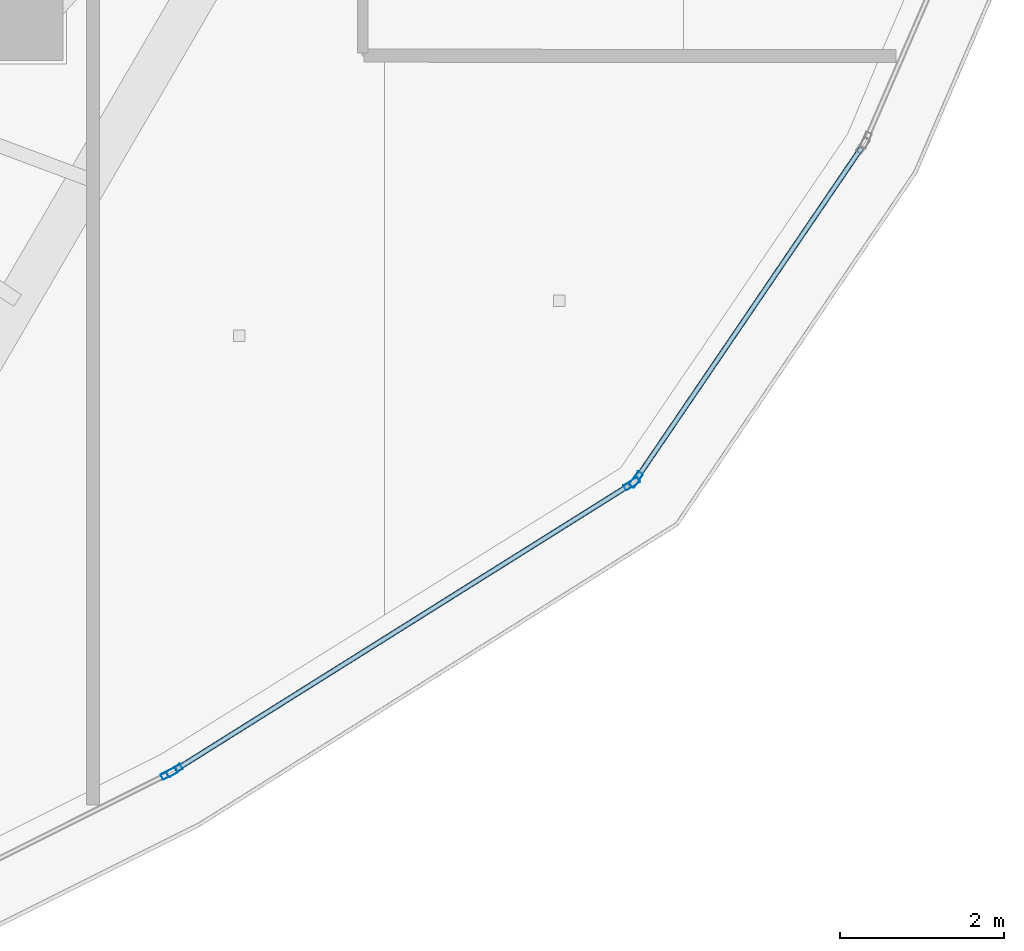
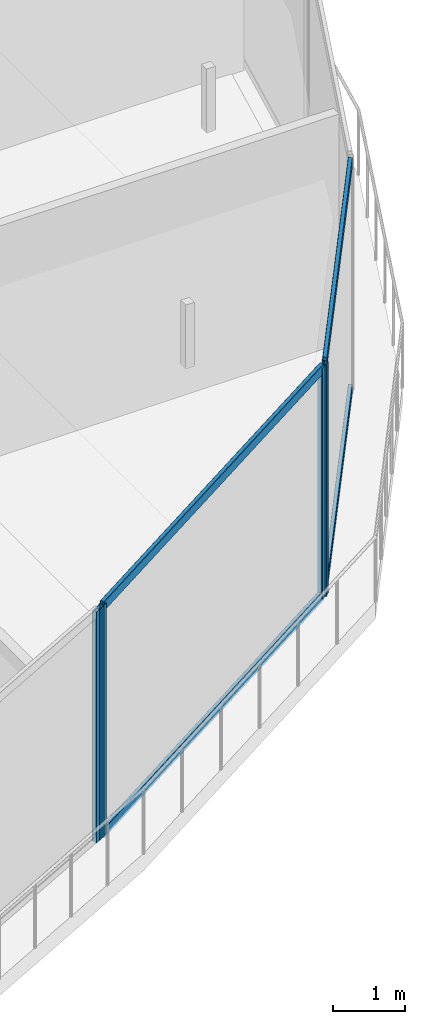
# One storey, part 7 of 25: 8 members, 3 elements without a shape of their own.
"""IFC4 building model written with IfcOpenShell, lengths in metres."""

from ifc_helpers import new_model, si_unit, direction, frame, origin, origin_2d, place, context, subcontext, project, spatial, hollow_rectangle, extrude, material, layer, layer_set, material_profile, profile_set, type_object, element, aggregate, save


model = new_model("IFC4")

# Units and contexts
model_context = context("Model", 3, precision=1e-05, world=origin(), true_north=direction((0.0, 1.0)))
body_context = subcontext(model_context, "Body", "Model", "MODEL_VIEW")
ifc_project = project(units=[si_unit("LENGTHUNIT", "METRE"), si_unit("AREAUNIT", "SQUARE_METRE"), si_unit("VOLUMEUNIT", "CUBIC_METRE"), si_unit("PLANEANGLEUNIT", "RADIAN"), si_unit("MASSUNIT", "GRAM", prefix="KILO")], contexts=[model_context])

# Site, building, storey
site_placement = place(None, origin())
site = spatial("IfcSite", under=ifc_project, at=site_placement, CompositionType="ELEMENT")
building_placement = place(site_placement, origin())
building = spatial("IfcBuilding", under=site, at=building_placement, Name="Qorvath Tower", CompositionType="ELEMENT")
storey_placement = place(building_placement, frame((0.0, 0.0, 306.0)))
storey = spatial("IfcBuildingStorey", under=building, at=storey_placement, Name="L71", CompositionType="ELEMENT", Elevation=306.0)

# Curtain wall, member
ifc_material_1 = material(Name="Anodised aluminium and triple low-E glass", Category="aluminium")
ifc_layer = layer(ifc_material_1, 0.179931640625)
ifc_layer_set = layer_set([ifc_layer], Name="CW-SYS-4")
curtain_wall_type = type_object("IfcCurtainWallType", Name="CW-SYS-4", PredefinedType="NOTDEFINED", material=ifc_layer_set)
curtain_wall_1_placement = place(storey_placement, origin())
curtain_wall_1 = element("IfcCurtainWall", 1, at=curtain_wall_1_placement, inside=storey, type_object=curtain_wall_type, Name="Curtain Wall CW-4 CW-T-L71-3.1", PredefinedType="NOTDEFINED")
ifc_material_2 = material(Name="Anodised aluminium 6063-T6", Category="aluminium")
ifc_material_profile_1 = material_profile(ifc_material_2, hollow_rectangle(XDim=0.074951171875, YDim=0.199951171875, WallThickness=0.00390625, InnerFilletRadius=0.00390625, OuterFilletRadius=0.008056640625, at=origin_2d()), Name="CWM 200x75")
ifc_profile_set_1 = profile_set([ifc_material_profile_1], Name="Anodised aluminium 6063-T6")
member_type_1 = type_object("IfcMemberType", Name="CWM-200", PredefinedType="MULLION", material=ifc_profile_set_1)
member_1_placement = place(storey_placement, frame((-15.504638671875, -20.5478515625, 0.0), z_axis=(0.0, 0.0, 1.0), x_axis=(-0.447224921915, 0.894421527703, 0.0)))
member_1 = element("IfcMember", 2, at=member_1_placement, type_object=member_type_1, Name="CW-4 mullion 2", PredefinedType="MULLION", context=body_context, shape_type="SweptSolid", body=[
    extrude(hollow_rectangle(XDim=0.074951171875, YDim=0.199951171875, WallThickness=0.00390625, InnerFilletRadius=0.00390625, OuterFilletRadius=0.008056640625, at=origin_2d()), origin(), (0.0, 0.0, 1.0), 3.909912109375),
])
aggregate(curtain_wall_1, [member_1])

# Curtain wall, members
curtain_wall_2_placement = place(storey_placement, origin())
curtain_wall_2 = element("IfcCurtainWall", 3, at=curtain_wall_2_placement, inside=storey, type_object=curtain_wall_type, Name="Curtain Wall CW-4 CW-T-L71-4.1", PredefinedType="NOTDEFINED")
member_2_placement = place(storey_placement, frame((-15.439453125, -20.510986328125, 0.0), z_axis=(0.0, 0.0, 1.0), x_axis=(-0.531353139586, 0.847150424099, 0.0)))
member_2 = element("IfcMember", 4, at=member_2_placement, type_object=member_type_1, Name="CW-4 mullion 1", PredefinedType="MULLION", context=body_context, shape_type="SweptSolid", body=[
    extrude(hollow_rectangle(XDim=0.074951171875, YDim=0.199951171875, WallThickness=0.00390625, InnerFilletRadius=0.00390625, OuterFilletRadius=0.008056640625, at=origin_2d()), origin(), (0.0, 0.0, 1.0), 3.909912109375),
])
member_3_placement = place(storey_placement, frame((-9.860107421875, -17.01171875, 0.0), z_axis=(0.0, 0.0, 1.0), x_axis=(-0.531353139586, 0.847150424099, 0.0)))
member_3 = element("IfcMember", 5, at=member_3_placement, type_object=member_type_1, Name="CW-4 mullion 2", PredefinedType="MULLION", context=body_context, shape_type="SweptSolid", body=[
    extrude(hollow_rectangle(XDim=0.074951171875, YDim=0.199951171875, WallThickness=0.00390625, InnerFilletRadius=0.00390625, OuterFilletRadius=0.008056640625, at=origin_2d()), origin(), (0.0, 0.0, 1.0), 3.909912109375),
])

# Curtain wall, member
curtain_wall_3_placement = place(storey_placement, origin())
curtain_wall_3 = element("IfcCurtainWall", 6, at=curtain_wall_3_placement, inside=storey, type_object=curtain_wall_type, Name="Curtain Wall CW-4 CW-T-L71-5.1", PredefinedType="NOTDEFINED")
member_4_placement = place(storey_placement, frame((-9.807373046875, -16.960693359375, 0.0), z_axis=(0.0, 0.0, 1.0), x_axis=(-0.827117964298, 0.562028356166, 0.0)))
member_4 = element("IfcMember", 7, at=member_4_placement, type_object=member_type_1, Name="CW-4 mullion 1", PredefinedType="MULLION", context=body_context, shape_type="SweptSolid", body=[
    extrude(hollow_rectangle(XDim=0.074951171875, YDim=0.199951171875, WallThickness=0.00390625, InnerFilletRadius=0.00390625, OuterFilletRadius=0.008056640625, at=origin_2d()), origin(), (0.0, 0.0, 1.0), 3.909912109375),
])

# Member
ifc_material_3 = material(Name="Anodised aluminium 6063-T6", Category="aluminium")
ifc_material_profile_2 = material_profile(ifc_material_3, hollow_rectangle(XDim=0.06494140625, YDim=0.159912109375, WallThickness=0.00341796875, InnerFilletRadius=0.00341796875, OuterFilletRadius=0.007080078125, at=origin_2d()), Name="CWT 160x65")
ifc_profile_set_2 = profile_set([ifc_material_profile_2], Name="Anodised aluminium 6063-T6")
member_type_2 = type_object("IfcMemberType", Name="CWT-160", PredefinedType="USERDEFINED", material=ifc_profile_set_2)
member_5_placement = place(storey_placement, frame((-15.40771484375, -20.4912109375, 0.032470703125), z_axis=(0.847148288731, 0.531356544045, 0.0), x_axis=(-0.531356544045, 0.847148288731, 0.0)))
member_5 = element("IfcMember", 8, at=member_5_placement, type_object=member_type_2, Name="CW-4 transom 1.1", ObjectType="TRANSOM", PredefinedType="USERDEFINED", context=body_context, shape_type="SweptSolid", body=[
    extrude(hollow_rectangle(XDim=0.06494140625, YDim=0.159912109375, WallThickness=0.00341796875, InnerFilletRadius=0.00341796875, OuterFilletRadius=0.007080078125, at=origin_2d()), origin(), (0.0, 0.0, 1.0), 6.510986328125),
])

member_6_placement = place(storey_placement, frame((-15.40771484375, -20.4912109375, 3.87744140625), z_axis=(0.847148288731, 0.531356544045, 0.0), x_axis=(-0.531356544045, 0.847148288731, 0.0)))
member_6 = element("IfcMember", 9, at=member_6_placement, type_object=member_type_2, Name="CW-4 transom 1.2", ObjectType="TRANSOM", PredefinedType="USERDEFINED", context=body_context, shape_type="SweptSolid", body=[
    extrude(hollow_rectangle(XDim=0.06494140625, YDim=0.159912109375, WallThickness=0.00341796875, InnerFilletRadius=0.00341796875, OuterFilletRadius=0.007080078125, at=origin_2d()), origin(), (0.0, 0.0, 1.0), 6.510986328125),
])

aggregate(curtain_wall_2, [member_2, member_3, member_5, member_6])

member_7_placement = place(storey_placement, frame((-9.7861328125, -16.9296875, 0.032470703125), z_axis=(0.561994780585, 0.827140777979, 0.0), x_axis=(-0.827140777979, 0.561994780585, 0.0)))
member_7 = element("IfcMember", 10, at=member_7_placement, type_object=member_type_2, Name="CW-4 transom 1.1", ObjectType="TRANSOM", PredefinedType="USERDEFINED", context=body_context, shape_type="SweptSolid", body=[
    extrude(hollow_rectangle(XDim=0.06494140625, YDim=0.159912109375, WallThickness=0.00341796875, InnerFilletRadius=0.00341796875, OuterFilletRadius=0.007080078125, at=origin_2d()), origin(), (0.0, 0.0, 1.0), 4.8515625),
])

member_8_placement = place(storey_placement, frame((-9.7861328125, -16.9296875, 3.87744140625), z_axis=(0.561994780585, 0.827140777979, 0.0), x_axis=(-0.827140777979, 0.561994780585, 0.0)))
member_8 = element("IfcMember", 11, at=member_8_placement, type_object=member_type_2, Name="CW-4 transom 1.2", ObjectType="TRANSOM", PredefinedType="USERDEFINED", context=body_context, shape_type="SweptSolid", body=[
    extrude(hollow_rectangle(XDim=0.06494140625, YDim=0.159912109375, WallThickness=0.00341796875, InnerFilletRadius=0.00341796875, OuterFilletRadius=0.007080078125, at=origin_2d()), origin(), (0.0, 0.0, 1.0), 4.8515625),
])

aggregate(curtain_wall_3, [member_4, member_7, member_8])

save(model, "model.ifc")
